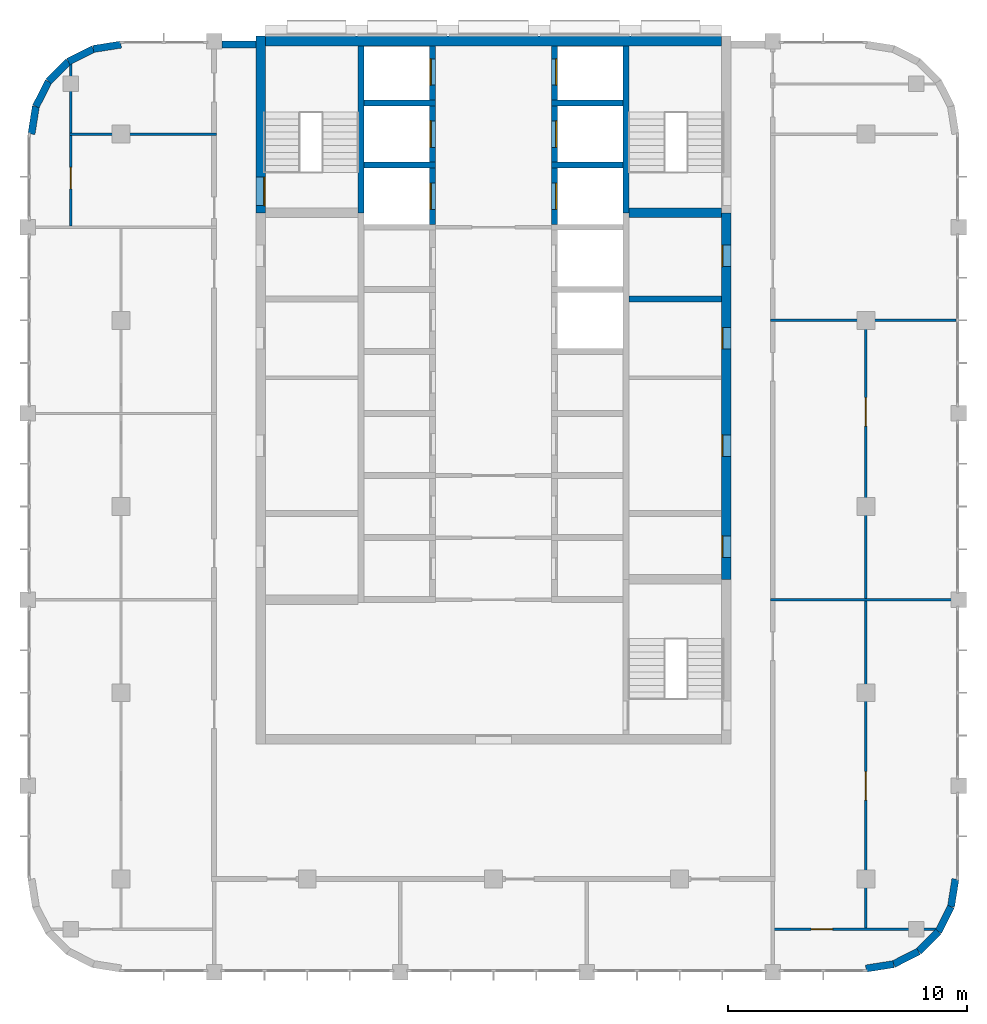
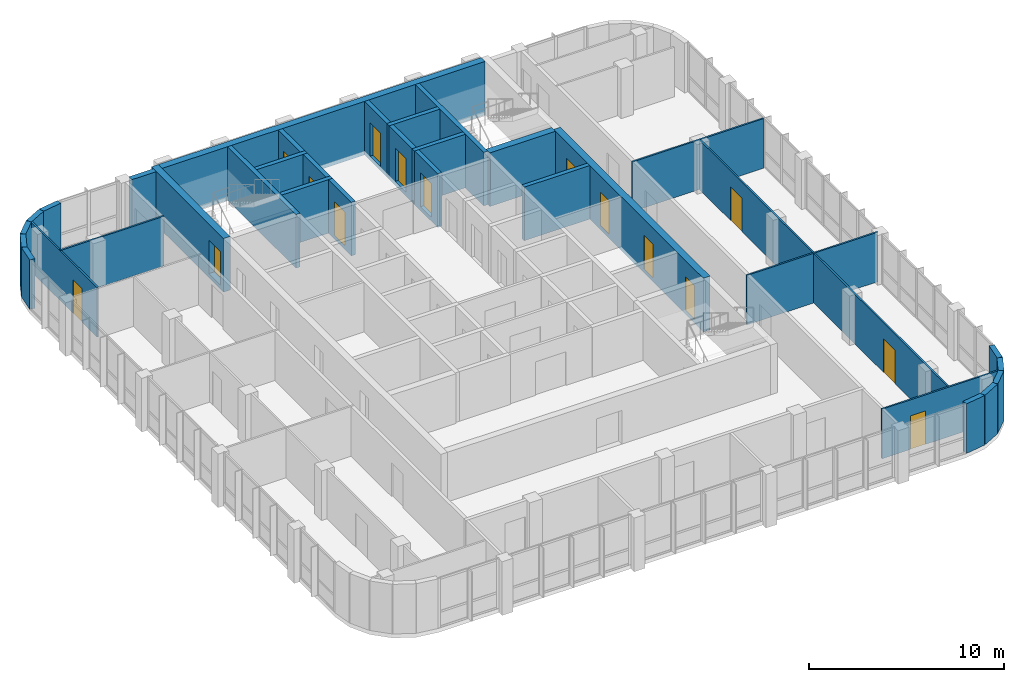
# One storey, part 11 of 17: 34 walls, 15 doors, 15 openings.
"""IFC4 building model written with IfcOpenShell, lengths in metres."""

from ifc_helpers import new_model, si_unit, direction, frame, frame_2d, origin, place, context, subcontext, project, spatial, rectangle, extrude, material, layer, layer_set, type_object, element, fill, save


model = new_model("IFC4")

# Units and contexts
model_context = context("Model", 3, precision=1e-05, world=origin(), true_north=direction((0.0, 1.0)))
body_context = subcontext(model_context, "Body", "Model", "MODEL_VIEW")
ifc_project = project(units=[si_unit("LENGTHUNIT", "METRE"), si_unit("AREAUNIT", "SQUARE_METRE"), si_unit("VOLUMEUNIT", "CUBIC_METRE"), si_unit("PLANEANGLEUNIT", "RADIAN"), si_unit("MASSUNIT", "GRAM", prefix="KILO")], contexts=[model_context])

# Site, building, storey
site_placement = place(None, origin())
site = spatial("IfcSite", under=ifc_project, at=site_placement, CompositionType="ELEMENT")
building_placement = place(site_placement, origin())
building = spatial("IfcBuilding", under=site, at=building_placement, Name="Ludao Terraces", CompositionType="ELEMENT")
storey_placement = place(building_placement, frame((0.0, 0.0, 263.0)))
storey = spatial("IfcBuildingStorey", under=building, at=storey_placement, Name="L72", CompositionType="ELEMENT", Elevation=263.0)

# Wall, opening, door
ifc_material_1 = material(Name="Concrete C50", Category="concrete")
ifc_layer_1 = layer(ifc_material_1, 0.39990234375)
ifc_layer_set_1 = layer_set([ifc_layer_1], Name="Core wall 400 C50")
wall_type_1 = type_object("IfcWallType", Name="Core wall 400 C50", PredefinedType="SOLIDWALL", material=ifc_layer_set_1)
wall_1_placement = place(storey_placement, frame((75.25, 77.300048828125, -0.25), z_axis=(0.0, 0.0, 1.0), x_axis=(0.0, 1.0, 0.0)))
wall_1 = element("IfcWall", 1, at=wall_1_placement, inside=storey, type_object=wall_type_1, Name="Core wall L72 outer-W-S1", PredefinedType="SOLIDWALL", context=body_context, shape_type="SweptSolid", body=[
    extrude(rectangle(XDim=7.39990234375, YDim=0.39990234375, at=frame_2d((3.699951171875, 0.0))), origin(), (0.0, 0.0, 1.0), 3.35009765625),
])
opening_1_placement = place(wall_1_placement, frame((0.300048828125, 0.0, 0.25)))
opening_1 = element("IfcOpeningElement", 2, at=opening_1_placement, cuts=wall_1, Name="Opening T1-047", PredefinedType="OPENING", context=body_context, shape_type="SweptSolid", body=[
    extrude(rectangle(XDim=1.199951171875, YDim=2.10009765625, at=frame_2d((0.60009765625, 1.050048828125))), frame((0.0, 0.2099609375, 0.0), z_axis=(0.0, -1.0, 0.0), x_axis=(1.0, 0.0, 0.0)), (0.0, 0.0, 1.0), 0.419921875),
])
ifc_material_2 = material(Name="Steel Q235", Category="steel")
door_type_1 = type_object("IfcDoorType", Name="INT Stair door 1200", OperationType="DOUBLE_DOOR_SINGLE_SWING", PredefinedType="DOOR", material=ifc_material_2)
door_1_placement = place(opening_1_placement, origin())
door_1 = element("IfcDoor", 3, at=door_1_placement, inside=storey, type_object=door_type_1, Name="DOOR 047", OperationType="DOUBLE_DOOR_SINGLE_SWING", OverallHeight=2.10009765625, OverallWidth=1.199951171875, PredefinedType="DOOR", context=body_context, shape_type="SweptSolid", body=[
    extrude(rectangle(XDim=1.199951171875, YDim=2.10009765625, at=frame_2d((0.60009765625, 1.050048828125))), frame((0.0, -0.134765625, 0.0), z_axis=(0.0, -1.0, 0.0), x_axis=(1.0, 0.0, 0.0)), (0.0, 0.0, 1.0), 0.050048828125),
])
fill(opening_1, door_1)

# Wall, openings, doors
wall_2_placement = place(storey_placement, frame((94.75, 61.949951171875, -0.25), z_axis=(0.0, 0.0, 1.0), x_axis=(0.0, 1.0, 0.0)))
wall_2 = element("IfcWall", 4, at=wall_2_placement, inside=storey, type_object=wall_type_1, Name="Core wall L72 outer-E", PredefinedType="SOLIDWALL", context=body_context, shape_type="SweptSolid", body=[
    extrude(rectangle(XDim=15.35009765625, YDim=0.39990234375, at=frame_2d((7.675048828125, 0.0))), origin(), (0.0, 0.0, 1.0), 3.35009765625),
])
opening_2_placement = place(wall_2_placement, frame((0.925048828125, 0.0, 0.25)))
opening_2 = element("IfcOpeningElement", 5, at=opening_2_placement, cuts=wall_2, Name="Opening T1-018", PredefinedType="OPENING", context=body_context, shape_type="SweptSolid", body=[
    extrude(rectangle(XDim=0.89990234375, YDim=2.10009765625, at=frame_2d((0.449951171875, 1.050048828125))), frame((0.0, 0.2099609375, 0.0), z_axis=(0.0, -1.0, 0.0), x_axis=(1.0, 0.0, 0.0)), (0.0, 0.0, 1.0), 0.419921875),
])
opening_3_placement = place(wall_2_placement, frame((5.14990234375, 0.0, 0.25)))
opening_3 = element("IfcOpeningElement", 6, at=opening_3_placement, cuts=wall_2, Name="Opening T1-024", PredefinedType="OPENING", context=body_context, shape_type="SweptSolid", body=[
    extrude(rectangle(XDim=0.89990234375, YDim=2.10009765625, at=frame_2d((0.449951171875, 1.050048828125))), frame((0.0, 0.2099609375, 0.0), z_axis=(0.0, -1.0, 0.0), x_axis=(1.0, 0.0, 0.0)), (0.0, 0.0, 1.0), 0.419921875),
])
opening_4_placement = place(wall_2_placement, frame((9.64990234375, 0.0, 0.25)))
opening_4 = element("IfcOpeningElement", 7, at=opening_4_placement, cuts=wall_2, Name="Opening T1-034", PredefinedType="OPENING", context=body_context, shape_type="SweptSolid", body=[
    extrude(rectangle(XDim=0.89990234375, YDim=2.10009765625, at=frame_2d((0.449951171875, 1.050048828125))), frame((0.0, 0.2099609375, 0.0), z_axis=(0.0, -1.0, 0.0), x_axis=(1.0, 0.0, 0.0)), (0.0, 0.0, 1.0), 0.419921875),
])
opening_5_placement = place(wall_2_placement, frame((13.10009765625, 0.0, 0.25)))
opening_5 = element("IfcOpeningElement", 8, at=opening_5_placement, cuts=wall_2, Name="Opening T1-042", PredefinedType="OPENING", context=body_context, shape_type="SweptSolid", body=[
    extrude(rectangle(XDim=0.89990234375, YDim=2.10009765625, at=frame_2d((0.449951171875, 1.050048828125))), frame((0.0, 0.2099609375, 0.0), z_axis=(0.0, -1.0, 0.0), x_axis=(1.0, 0.0, 0.0)), (0.0, 0.0, 1.0), 0.419921875),
])
door_type_2 = type_object("IfcDoorType", Name="INT Riser door 900", OperationType="SINGLE_SWING_LEFT", PredefinedType="DOOR", material=ifc_material_2)
door_2_placement = place(opening_2_placement, origin())
door_2 = element("IfcDoor", 9, at=door_2_placement, inside=storey, type_object=door_type_2, Name="DOOR 018", OperationType="SINGLE_SWING_LEFT", OverallHeight=2.10009765625, OverallWidth=0.89990234375, PredefinedType="DOOR", context=body_context, shape_type="SweptSolid", body=[
    extrude(rectangle(XDim=0.89990234375, YDim=2.10009765625, at=frame_2d((0.449951171875, 1.050048828125))), frame((0.0, 0.18505859375, 0.0), z_axis=(0.0, -1.0, 0.0), x_axis=(1.0, 0.0, 0.0)), (0.0, 0.0, 1.0), 0.050048828125),
])
fill(opening_2, door_2)
door_3_placement = place(opening_5_placement, origin())
door_3 = element("IfcDoor", 10, at=door_3_placement, inside=storey, type_object=door_type_2, Name="DOOR 042", OperationType="SINGLE_SWING_RIGHT", OverallHeight=2.10009765625, OverallWidth=0.89990234375, PredefinedType="DOOR", context=body_context, shape_type="SweptSolid", body=[
    extrude(rectangle(XDim=0.89990234375, YDim=2.10009765625, at=frame_2d((0.449951171875, 1.050048828125))), frame((0.0, 0.18505859375, 0.0), z_axis=(0.0, -1.0, 0.0), x_axis=(1.0, 0.0, 0.0)), (0.0, 0.0, 1.0), 0.050048828125),
])
fill(opening_5, door_3)
ifc_material_3 = material(Name="Timber door leaf", Category="wood")
door_type_3 = type_object("IfcDoorType", Name="INT Room door 900", OperationType="SINGLE_SWING_LEFT", PredefinedType="DOOR", material=ifc_material_3)
door_4_placement = place(opening_3_placement, origin())
door_4 = element("IfcDoor", 11, at=door_4_placement, inside=storey, type_object=door_type_3, Name="DOOR 024", OperationType="SINGLE_SWING_LEFT", OverallHeight=2.10009765625, OverallWidth=0.89990234375, PredefinedType="DOOR", context=body_context, shape_type="SweptSolid", body=[
    extrude(rectangle(XDim=0.89990234375, YDim=2.10009765625, at=frame_2d((0.449951171875, 1.050048828125))), frame((0.0, 0.18505859375, 0.0), z_axis=(0.0, -1.0, 0.0), x_axis=(1.0, 0.0, 0.0)), (0.0, 0.0, 1.0), 0.050048828125),
])
fill(opening_3, door_4)
door_5_placement = place(opening_4_placement, origin())
door_5 = element("IfcDoor", 12, at=door_5_placement, inside=storey, type_object=door_type_3, Name="DOOR 034", OperationType="SINGLE_SWING_RIGHT", OverallHeight=2.10009765625, OverallWidth=0.89990234375, PredefinedType="DOOR", context=body_context, shape_type="SweptSolid", body=[
    extrude(rectangle(XDim=0.89990234375, YDim=2.10009765625, at=frame_2d((0.449951171875, 1.050048828125))), frame((0.0, 0.18505859375, 0.0), z_axis=(0.0, -1.0, 0.0), x_axis=(1.0, 0.0, 0.0)), (0.0, 0.0, 1.0), 0.050048828125),
])
fill(opening_4, door_5)

# Walls
wall_3_placement = place(storey_placement, frame((75.449951171875, 84.5, -0.25), z_axis=(0.0, 0.0, 1.0), x_axis=(1.0, 0.0, 0.0)))
element("IfcWall", 13, at=wall_3_placement, inside=storey, type_object=wall_type_1, Name="Core wall L72 outer-N", PredefinedType="SOLIDWALL", context=body_context, shape_type="SweptSolid", body=[
    extrude(rectangle(XDim=19.10009765625, YDim=0.39990234375, at=frame_2d((9.550048828125, 0.0))), origin(), (0.0, 0.0, 1.0), 3.35009765625),
])
ifc_material_4 = material(Name="Granite cladding", Category="masonry")
ifc_layer_2 = layer(ifc_material_4, 0.0400390625, Category="stone")
ifc_material_5 = material(Name="Mineral wool")
ifc_layer_3 = layer(ifc_material_5, 0.06005859375)
ifc_material_6 = material(Name="Concrete C40", Category="concrete")
ifc_layer_4 = layer(ifc_material_6, 0.199951171875, Category="concrete")
ifc_layer_set_2 = layer_set([ifc_layer_2, ifc_layer_3, ifc_layer_4], Name="ENV Stone-clad wall 300")
wall_type_2 = type_object("IfcWallType", Name="ENV Stone-clad wall 300", PredefinedType="SOLIDWALL", material=ifc_layer_set_2)
wall_4_placement = place(storey_placement, frame((73.625, 84.35009765625, 0.0), z_axis=(0.0, 0.0, 1.0), x_axis=(1.0, 0.0, 0.0)))
element("IfcWall", 14, at=wall_4_placement, inside=storey, type_object=wall_type_2, Name="EW-L72-N2", PredefinedType="SOLIDWALL", context=body_context, shape_type="SweptSolid", body=[
    extrude(rectangle(XDim=1.425048828125, YDim=0.300048828125, at=frame_2d((0.71240234375, 0.0))), origin(), (0.0, 0.0, 1.0), 3.10009765625),
])
wall_5_placement = place(storey_placement, frame((100.60009765625, 45.64990234375, 0.0), z_axis=(0.0, 0.0, 1.0), x_axis=(0.987678452879, 0.156496880861, 0.0)))
element("IfcWall", 15, at=wall_5_placement, inside=storey, type_object=wall_type_2, Name="EW-L72-SE1", PredefinedType="SOLIDWALL", context=body_context, shape_type="SweptSolid", body=[
    extrude(rectangle(XDim=1.173095703125, YDim=0.300048828125, at=frame_2d((0.58642578125, 0.0))), origin(), (0.0, 0.0, 1.0), 3.10009765625),
])
wall_6_placement = place(storey_placement, frame((101.7587890625, 45.83349609375, 0.0), z_axis=(0.0, 0.0, 1.0), x_axis=(0.890988677504, 0.454025524128, 0.0)))
element("IfcWall", 16, at=wall_6_placement, inside=storey, type_object=wall_type_2, Name="EW-L72-SE2", PredefinedType="SOLIDWALL", context=body_context, shape_type="SweptSolid", body=[
    extrude(rectangle(XDim=1.17333984375, YDim=0.300048828125, at=frame_2d((0.586669921875, 0.0))), origin(), (0.0, 0.0, 1.0), 3.10009765625),
])
wall_7_placement = place(storey_placement, frame((102.80419921875, 46.3662109375, 0.0), z_axis=(0.0, 0.0, 1.0), x_axis=(0.707106781187, 0.707106781187, 0.0)))
element("IfcWall", 17, at=wall_7_placement, inside=storey, type_object=wall_type_2, Name="EW-L72-SE3", PredefinedType="SOLIDWALL", context=body_context, shape_type="SweptSolid", body=[
    extrude(rectangle(XDim=1.173095703125, YDim=0.300048828125, at=frame_2d((0.58642578125, 0.0))), origin(), (0.0, 0.0, 1.0), 3.10009765625),
])
wall_8_placement = place(storey_placement, frame((103.6337890625, 47.19580078125, 0.0), z_axis=(0.0, 0.0, 1.0), x_axis=(0.454025524128, 0.890988677504, 0.0)))
element("IfcWall", 18, at=wall_8_placement, inside=storey, type_object=wall_type_2, Name="EW-L72-SE4", PredefinedType="SOLIDWALL", context=body_context, shape_type="SweptSolid", body=[
    extrude(rectangle(XDim=1.17333984375, YDim=0.300048828125, at=frame_2d((0.586669921875, 0.0))), origin(), (0.0, 0.0, 1.0), 3.10009765625),
])
for number, where, z_axis, x_axis, name in (
    (19, (104.16650390625, 48.2412109375, 0.0), (0.0, 0.0, 1.0), (0.156496880861, 0.987678452879, 0.0), "EW-L72-SE5"),
    (20, (69.39990234375, 84.35009765625, 0.0), (0.0, 0.0, 1.0), (-0.987678452879, -0.156496880861, 0.0), "EW-L72-NW1"),
):
    element("IfcWall", number, at=place(storey_placement, frame(where, z_axis=z_axis, x_axis=x_axis)), inside=storey, type_object=wall_type_2, Name=name, PredefinedType="SOLIDWALL", context=body_context, shape_type="SweptSolid", body=[
        extrude(rectangle(XDim=1.173095703125, YDim=0.300048828125, at=frame_2d((0.58642578125, 0.0))), origin(), (0.0, 0.0, 1.0), 3.10009765625),
    ])
wall_9_placement = place(storey_placement, frame((68.2412109375, 84.16650390625, 0.0), z_axis=(0.0, 0.0, 1.0), x_axis=(-0.890988677504, -0.454025524128, 0.0)))
element("IfcWall", 21, at=wall_9_placement, inside=storey, type_object=wall_type_2, Name="EW-L72-NW2", PredefinedType="SOLIDWALL", context=body_context, shape_type="SweptSolid", body=[
    extrude(rectangle(XDim=1.17333984375, YDim=0.300048828125, at=frame_2d((0.586669921875, 0.0))), origin(), (0.0, 0.0, 1.0), 3.10009765625),
])
wall_10_placement = place(storey_placement, frame((67.19580078125, 83.6337890625, 0.0), z_axis=(0.0, 0.0, 1.0), x_axis=(-0.707106781187, -0.707106781187, 0.0)))
element("IfcWall", 22, at=wall_10_placement, inside=storey, type_object=wall_type_2, Name="EW-L72-NW3", PredefinedType="SOLIDWALL", context=body_context, shape_type="SweptSolid", body=[
    extrude(rectangle(XDim=1.173095703125, YDim=0.300048828125, at=frame_2d((0.58642578125, 0.0))), origin(), (0.0, 0.0, 1.0), 3.10009765625),
])
wall_11_placement = place(storey_placement, frame((66.3662109375, 82.80419921875, 0.0), z_axis=(0.0, 0.0, 1.0), x_axis=(-0.454025524128, -0.890988677504, 0.0)))
element("IfcWall", 23, at=wall_11_placement, inside=storey, type_object=wall_type_2, Name="EW-L72-NW4", PredefinedType="SOLIDWALL", context=body_context, shape_type="SweptSolid", body=[
    extrude(rectangle(XDim=1.17333984375, YDim=0.300048828125, at=frame_2d((0.586669921875, 0.0))), origin(), (0.0, 0.0, 1.0), 3.10009765625),
])
wall_12_placement = place(storey_placement, frame((65.83349609375, 81.7587890625, 0.0), z_axis=(0.0, 0.0, 1.0), x_axis=(-0.156496880861, -0.987678452879, 0.0)))
element("IfcWall", 24, at=wall_12_placement, inside=storey, type_object=wall_type_2, Name="EW-L72-NW5", PredefinedType="SOLIDWALL", context=body_context, shape_type="SweptSolid", body=[
    extrude(rectangle(XDim=1.173095703125, YDim=0.300048828125, at=frame_2d((0.58642578125, 0.0))), origin(), (0.0, 0.0, 1.0), 3.10009765625),
])

# Wall, opening, door
ifc_material_7 = material(Name="Gypsum plasterboard", Category="gypsum")
ifc_layer_5 = layer(ifc_material_7, 0.012451171875, Category="gypsum")
ifc_layer_6 = layer(ifc_material_5, 0.06005859375, Name="insulation")
ifc_layer_7 = layer(ifc_material_2, 0.014892578125, Name="stud")
ifc_layer_8 = layer(ifc_material_7, 0.012451171875, Category="gypsum")
ifc_layer_set_3 = layer_set([ifc_layer_5, ifc_layer_6, ifc_layer_7, ifc_layer_8], Name="INT Partition 100")
wall_type_3 = type_object("IfcWallType", Name="INT Partition 100", PredefinedType="PARTITIONING", material=ifc_layer_set_3)
wall_13_placement = place(storey_placement, frame((96.625, 47.300048828125, 0.0), z_axis=(0.0, 0.0, 1.0), x_axis=(1.0, 0.0, 0.0)))
wall_13 = element("IfcWall", 25, at=wall_13_placement, inside=storey, type_object=wall_type_3, Name="PW-L72-PW001", PredefinedType="PARTITIONING", context=body_context, shape_type="SweptSolid", body=[
    extrude(rectangle(XDim=6.965087890625, YDim=0.10009765625, at=frame_2d((3.482421875, 0.0))), origin(), (0.0, 0.0, 1.0), 3.10009765625),
])
opening_6_placement = place(wall_13_placement, frame((1.677734375, 0.0, 0.0)))
opening_6 = element("IfcOpeningElement", 26, at=opening_6_placement, cuts=wall_13, Name="Opening T1-002", PredefinedType="OPENING", context=body_context, shape_type="SweptSolid", body=[
    extrude(rectangle(XDim=0.89990234375, YDim=2.10009765625, at=frame_2d((0.449951171875, 1.050048828125))), frame((0.0, 0.06005859375, 0.0), z_axis=(0.0, -1.0, 0.0), x_axis=(1.0, 0.0, 0.0)), (0.0, 0.0, 1.0), 0.1201171875),
])
door_6_placement = place(opening_6_placement, origin())
door_6 = element("IfcDoor", 27, at=door_6_placement, inside=storey, type_object=door_type_3, Name="DOOR 002", OperationType="SINGLE_SWING_RIGHT", OverallHeight=2.10009765625, OverallWidth=0.89990234375, PredefinedType="DOOR", context=body_context, shape_type="SweptSolid", body=[
    extrude(rectangle(XDim=0.89990234375, YDim=2.10009765625, at=frame_2d((0.449951171875, 1.050048828125))), frame((0.0, 0.02490234375, 0.0), z_axis=(0.0, -1.0, 0.0), x_axis=(1.0, 0.0, 0.0)), (0.0, 0.0, 1.0), 0.050048828125),
])
fill(opening_6, door_6)

# Walls
for number, where, z_axis, x_axis, name in (
    (28, (96.60009765625, 61.10009765625, 0.0), (0.0, 0.0, 1.0), (1.0, 0.0, 0.0), "PW-L72-PW005"),
    (29, (96.60009765625, 72.800048828125, 0.0), (0.0, 0.0, 1.0), (1.0, 0.0, 0.0), "PW-L72-PW011"),
):
    element("IfcWall", number, at=place(storey_placement, frame(where, z_axis=z_axis, x_axis=x_axis)), inside=storey, type_object=wall_type_3, Name=name, PredefinedType="PARTITIONING", context=body_context, shape_type="SweptSolid", body=[
        extrude(rectangle(XDim=7.764892578125, YDim=0.10009765625, at=frame_2d((3.88232421875, 0.0))), origin(), (0.0, 0.0, 1.0), 3.10009765625),
    ])
wall_14_placement = place(storey_placement, frame((67.25, 80.60009765625, 0.0), z_axis=(0.0, 0.0, 1.0), x_axis=(1.0, 0.0, 0.0)))
element("IfcWall", 30, at=wall_14_placement, inside=storey, type_object=wall_type_3, Name="PW-L72-PW014", PredefinedType="PARTITIONING", context=body_context, shape_type="SweptSolid", body=[
    extrude(rectangle(XDim=6.150146484375, YDim=0.10009765625, at=frame_2d((3.0751953125, 0.0))), origin(), (0.0, 0.0, 1.0), 3.10009765625),
])

# Wall, opening, door
wall_15_placement = place(storey_placement, frame((67.300048828125, 76.75, 0.0), z_axis=(0.0, 0.0, 1.0), x_axis=(0.0, 1.0, 0.0)))
wall_15 = element("IfcWall", 31, at=wall_15_placement, inside=storey, type_object=wall_type_3, Name="PW-L72-PW017", PredefinedType="PARTITIONING", context=body_context, shape_type="SweptSolid", body=[
    extrude(rectangle(XDim=6.840087890625, YDim=0.10009765625, at=frame_2d((3.419921875, 0.0))), origin(), (0.0, 0.0, 1.0), 3.10009765625),
])
opening_7_placement = place(wall_15_placement, frame((1.552734375, 0.0, 0.0)))
opening_7 = element("IfcOpeningElement", 32, at=opening_7_placement, cuts=wall_15, Name="Opening T1-049", PredefinedType="OPENING", context=body_context, shape_type="SweptSolid", body=[
    extrude(rectangle(XDim=0.89990234375, YDim=2.10009765625, at=frame_2d((0.449951171875, 1.050048828125))), frame((0.0, 0.06005859375, 0.0), z_axis=(0.0, -1.0, 0.0), x_axis=(1.0, 0.0, 0.0)), (0.0, 0.0, 1.0), 0.1201171875),
])
door_7_placement = place(opening_7_placement, origin())
door_7 = element("IfcDoor", 33, at=door_7_placement, inside=storey, type_object=door_type_3, Name="DOOR 049", OperationType="SINGLE_SWING_LEFT", OverallHeight=2.10009765625, OverallWidth=0.89990234375, PredefinedType="DOOR", context=body_context, shape_type="SweptSolid", body=[
    extrude(rectangle(XDim=0.89990234375, YDim=2.10009765625, at=frame_2d((0.449951171875, 1.050048828125))), frame((0.0, 0.02490234375, 0.0), z_axis=(0.0, -1.0, 0.0), x_axis=(1.0, 0.0, 0.0)), (0.0, 0.0, 1.0), 0.050048828125),
])
fill(opening_7, door_7)

# Wall, openings, doors
wall_16_placement = place(storey_placement, frame((100.60009765625, 47.35009765625, 0.0), z_axis=(0.0, 0.0, 1.0), x_axis=(0.0, 1.0, 0.0)))
wall_16 = element("IfcWall", 34, at=wall_16_placement, inside=storey, type_object=wall_type_3, Name="PW-L72-PW025", PredefinedType="PARTITIONING", context=body_context, shape_type="SweptSolid", body=[
    extrude(rectangle(XDim=25.39990234375, YDim=0.10009765625, at=frame_2d((12.699951171875, 0.0))), origin(), (0.0, 0.0, 1.0), 3.10009765625),
])
opening_8_placement = place(wall_16_placement, frame((5.35009765625, 0.0, 0.0)))
opening_8 = element("IfcOpeningElement", 35, at=opening_8_placement, cuts=wall_16, Name="Opening T1-007", PredefinedType="OPENING", context=body_context, shape_type="SweptSolid", body=[
    extrude(rectangle(XDim=1.199951171875, YDim=2.10009765625, at=frame_2d((0.60009765625, 1.050048828125))), frame((0.0, 0.06005859375, 0.0), z_axis=(0.0, -1.0, 0.0), x_axis=(1.0, 0.0, 0.0)), (0.0, 0.0, 1.0), 0.1201171875),
])
opening_9_placement = place(wall_16_placement, frame((21.01708984375, 0.0, 0.0)))
opening_9 = element("IfcOpeningElement", 36, at=opening_9_placement, cuts=wall_16, Name="Opening T1-028", PredefinedType="OPENING", context=body_context, shape_type="SweptSolid", body=[
    extrude(rectangle(XDim=1.199951171875, YDim=2.10009765625, at=frame_2d((0.60009765625, 1.050048828125))), frame((0.0, 0.06005859375, 0.0), z_axis=(0.0, -1.0, 0.0), x_axis=(1.0, 0.0, 0.0)), (0.0, 0.0, 1.0), 0.1201171875),
])
door_type_4 = type_object("IfcDoorType", Name="INT Double door 1200", OperationType="DOUBLE_DOOR_SINGLE_SWING", PredefinedType="DOOR", material=ifc_material_3)
door_8_placement = place(opening_8_placement, origin())
door_8 = element("IfcDoor", 37, at=door_8_placement, inside=storey, type_object=door_type_4, Name="DOOR 007", OperationType="DOUBLE_DOOR_SINGLE_SWING", OverallHeight=2.10009765625, OverallWidth=1.199951171875, PredefinedType="DOOR", context=body_context, shape_type="SweptSolid", body=[
    extrude(rectangle(XDim=1.199951171875, YDim=2.10009765625, at=frame_2d((0.60009765625, 1.050048828125))), frame((0.0, 0.02490234375, 0.0), z_axis=(0.0, -1.0, 0.0), x_axis=(1.0, 0.0, 0.0)), (0.0, 0.0, 1.0), 0.050048828125),
])
fill(opening_8, door_8)
door_9_placement = place(opening_9_placement, origin())
door_9 = element("IfcDoor", 38, at=door_9_placement, inside=storey, type_object=door_type_4, Name="DOOR 028", OperationType="DOUBLE_DOOR_SINGLE_SWING", OverallHeight=2.10009765625, OverallWidth=1.199951171875, PredefinedType="DOOR", context=body_context, shape_type="SweptSolid", body=[
    extrude(rectangle(XDim=1.199951171875, YDim=2.10009765625, at=frame_2d((0.60009765625, 1.050048828125))), frame((0.0, 0.02490234375, 0.0), z_axis=(0.0, -1.0, 0.0), x_axis=(1.0, 0.0, 0.0)), (0.0, 0.0, 1.0), 0.050048828125),
])
fill(opening_9, door_9)

# Walls
ifc_layer_9 = layer(ifc_material_1, 0.25)
ifc_layer_set_4 = layer_set([ifc_layer_9], Name="Shaft wall 250 C50")
wall_type_4 = type_object("IfcWallType", Name="Shaft wall 250 C50", PredefinedType="SOLIDWALL", material=ifc_layer_set_4)
for number, where, z_axis, x_axis, name in (
    (39, (79.449951171875, 77.300048828125, -0.25), (0.0, 0.0, 1.0), (0.0, 1.0, 0.0), "Core wall L72 back-W-S1"),
    (40, (90.550048828125, 77.300048828125, -0.25), (0.0, 0.0, 1.0), (0.0, 1.0, 0.0), "Core wall L72 back-E-S2"),
):
    element("IfcWall", number, at=place(storey_placement, frame(where, z_axis=z_axis, x_axis=x_axis)), inside=storey, type_object=wall_type_4, Name=name, PredefinedType="SOLIDWALL", context=body_context, shape_type="SweptSolid", body=[
        extrude(rectangle(XDim=7.0, YDim=0.25, at=frame_2d((3.5, 0.0))), origin(), (0.0, 0.0, 1.0), 3.35009765625),
    ])

# Wall, opening, door
wall_17_placement = place(storey_placement, frame((82.449951171875, 76.824951171875, -0.25), z_axis=(0.0, 0.0, 1.0), x_axis=(0.0, 1.0, 0.0)))
wall_17 = element("IfcWall", 41, at=wall_17_placement, inside=storey, type_object=wall_type_4, Name="Core wall L72 front-W7", PredefinedType="SOLIDWALL", context=body_context, shape_type="SweptSolid", body=[
    extrude(rectangle(XDim=2.35009765625, YDim=0.25, at=frame_2d((1.175048828125, 0.0))), origin(), (0.0, 0.0, 1.0), 3.35009765625),
])
opening_10_placement = place(wall_17_placement, frame((0.625, 0.0, 0.25)))
opening_10 = element("IfcOpeningElement", 42, at=opening_10_placement, cuts=wall_17, Name="Opening LD-FF1", PredefinedType="OPENING", context=body_context, shape_type="SweptSolid", body=[
    extrude(rectangle(XDim=1.10009765625, YDim=2.10009765625, at=frame_2d((0.550048828125, 1.050048828125))), frame((0.0, 0.135009765625, 0.0), z_axis=(0.0, -1.0, 0.0), x_axis=(1.0, 0.0, 0.0)), (0.0, 0.0, 1.0), 0.27001953125),
])
ifc_material_8 = material(Name="Stainless steel 304", Category="steel")
door_type_5 = type_object("IfcDoorType", Name="INT Lift landing door 1100", OperationType="SLIDING_TO_LEFT", PredefinedType="DOOR", material=ifc_material_8)
door_10_placement = place(opening_10_placement, origin())
door_10 = element("IfcDoor", 43, at=door_10_placement, inside=storey, type_object=door_type_5, Name="LANDING DOOR FF1 L72", OperationType="SLIDING_TO_LEFT", OverallHeight=2.10009765625, OverallWidth=1.10009765625, PredefinedType="DOOR", context=body_context, shape_type="SweptSolid", body=[
    extrude(rectangle(XDim=1.10009765625, YDim=2.10009765625, at=frame_2d((0.550048828125, 1.050048828125))), frame((0.0, 0.10986328125, 0.0), z_axis=(0.0, -1.0, 0.0), x_axis=(1.0, 0.0, 0.0)), (0.0, 0.0, 1.0), 0.050048828125),
])
fill(opening_10, door_10)

# Wall
wall_18_placement = place(storey_placement, frame((79.574951171875, 79.300048828125, -0.25), z_axis=(0.0, 0.0, 1.0), x_axis=(1.0, 0.0, 0.0)))
element("IfcWall", 44, at=wall_18_placement, inside=storey, type_object=wall_type_4, Name="Core wall L72 div-W8", PredefinedType="SOLIDWALL", context=body_context, shape_type="SweptSolid", body=[
    extrude(rectangle(XDim=3.0, YDim=0.25, at=frame_2d((1.5, 0.0))), origin(), (0.0, 0.0, 1.0), 3.35009765625),
])

# Wall, opening, door
wall_19_placement = place(storey_placement, frame((82.449951171875, 79.425048828125, -0.25), z_axis=(0.0, 0.0, 1.0), x_axis=(0.0, 1.0, 0.0)))
wall_19 = element("IfcWall", 45, at=wall_19_placement, inside=storey, type_object=wall_type_4, Name="Core wall L72 front-W8", PredefinedType="SOLIDWALL", context=body_context, shape_type="SweptSolid", body=[
    extrude(rectangle(XDim=2.349853515625, YDim=0.25, at=frame_2d((1.1748046875, 0.0))), origin(), (0.0, 0.0, 1.0), 3.35009765625),
])
opening_11_placement = place(wall_19_placement, frame((0.625, 0.0, 0.25)))
opening_11 = element("IfcOpeningElement", 46, at=opening_11_placement, cuts=wall_19, Name="Opening LD-FF2", PredefinedType="OPENING", context=body_context, shape_type="SweptSolid", body=[
    extrude(rectangle(XDim=1.10009765625, YDim=2.10009765625, at=frame_2d((0.550048828125, 1.050048828125))), frame((0.0, 0.135009765625, 0.0), z_axis=(0.0, -1.0, 0.0), x_axis=(1.0, 0.0, 0.0)), (0.0, 0.0, 1.0), 0.27001953125),
])
door_11_placement = place(opening_11_placement, origin())
door_11 = element("IfcDoor", 47, at=door_11_placement, inside=storey, type_object=door_type_5, Name="LANDING DOOR FF2 L72", OperationType="SLIDING_TO_LEFT", OverallHeight=2.10009765625, OverallWidth=1.10009765625, PredefinedType="DOOR", context=body_context, shape_type="SweptSolid", body=[
    extrude(rectangle(XDim=1.10009765625, YDim=2.10009765625, at=frame_2d((0.550048828125, 1.050048828125))), frame((0.0, 0.10986328125, 0.0), z_axis=(0.0, -1.0, 0.0), x_axis=(1.0, 0.0, 0.0)), (0.0, 0.0, 1.0), 0.050048828125),
])
fill(opening_11, door_11)

# Wall
wall_20_placement = place(storey_placement, frame((79.574951171875, 81.89990234375, -0.25), z_axis=(0.0, 0.0, 1.0), x_axis=(1.0, 0.0, 0.0)))
element("IfcWall", 48, at=wall_20_placement, inside=storey, type_object=wall_type_4, Name="Core wall L72 div-W9", PredefinedType="SOLIDWALL", context=body_context, shape_type="SweptSolid", body=[
    extrude(rectangle(XDim=3.0, YDim=0.25, at=frame_2d((1.5, 0.0))), origin(), (0.0, 0.0, 1.0), 3.35009765625),
])

# Wall, opening, door
wall_21_placement = place(storey_placement, frame((82.449951171875, 82.02490234375, -0.25), z_axis=(0.0, 0.0, 1.0), x_axis=(0.0, 1.0, 0.0)))
wall_21 = element("IfcWall", 49, at=wall_21_placement, inside=storey, type_object=wall_type_4, Name="Core wall L72 front-W9", PredefinedType="SOLIDWALL", context=body_context, shape_type="SweptSolid", body=[
    extrude(rectangle(XDim=2.275146484375, YDim=0.25, at=frame_2d((1.1376953125, 0.0))), origin(), (0.0, 0.0, 1.0), 3.35009765625),
])
opening_12_placement = place(wall_21_placement, frame((0.625, 0.0, 0.25)))
opening_12 = element("IfcOpeningElement", 50, at=opening_12_placement, cuts=wall_21, Name="Opening LD-LB6", PredefinedType="OPENING", context=body_context, shape_type="SweptSolid", body=[
    extrude(rectangle(XDim=1.10009765625, YDim=2.10009765625, at=frame_2d((0.550048828125, 1.050048828125))), frame((0.0, 0.135009765625, 0.0), z_axis=(0.0, -1.0, 0.0), x_axis=(1.0, 0.0, 0.0)), (0.0, 0.0, 1.0), 0.27001953125),
])
door_12_placement = place(opening_12_placement, origin())
door_12 = element("IfcDoor", 51, at=door_12_placement, inside=storey, type_object=door_type_5, Name="LANDING DOOR LB6 L72", OperationType="SLIDING_TO_RIGHT", OverallHeight=2.10009765625, OverallWidth=1.10009765625, PredefinedType="DOOR", context=body_context, shape_type="SweptSolid", body=[
    extrude(rectangle(XDim=1.10009765625, YDim=2.10009765625, at=frame_2d((0.550048828125, 1.050048828125))), frame((0.0, 0.10986328125, 0.0), z_axis=(0.0, -1.0, 0.0), x_axis=(1.0, 0.0, 0.0)), (0.0, 0.0, 1.0), 0.050048828125),
])
fill(opening_12, door_12)

wall_22_placement = place(storey_placement, frame((87.550048828125, 76.824951171875, -0.25), z_axis=(0.0, 0.0, 1.0), x_axis=(0.0, 1.0, 0.0)))
wall_22 = element("IfcWall", 52, at=wall_22_placement, inside=storey, type_object=wall_type_4, Name="Core wall L72 front-E7", PredefinedType="SOLIDWALL", context=body_context, shape_type="SweptSolid", body=[
    extrude(rectangle(XDim=2.35009765625, YDim=0.25, at=frame_2d((1.175048828125, 0.0))), origin(), (0.0, 0.0, 1.0), 3.35009765625),
])
opening_13_placement = place(wall_22_placement, frame((0.625, 0.0, 0.25)))
opening_13 = element("IfcOpeningElement", 53, at=opening_13_placement, cuts=wall_22, Name="Opening LD-LB3", PredefinedType="OPENING", context=body_context, shape_type="SweptSolid", body=[
    extrude(rectangle(XDim=1.10009765625, YDim=2.10009765625, at=frame_2d((0.550048828125, 1.050048828125))), frame((0.0, 0.135009765625, 0.0), z_axis=(0.0, -1.0, 0.0), x_axis=(1.0, 0.0, 0.0)), (0.0, 0.0, 1.0), 0.27001953125),
])
door_13_placement = place(opening_13_placement, origin())
door_13 = element("IfcDoor", 54, at=door_13_placement, inside=storey, type_object=door_type_5, Name="LANDING DOOR LB3 L72", OperationType="SLIDING_TO_LEFT", OverallHeight=2.10009765625, OverallWidth=1.10009765625, PredefinedType="DOOR", context=body_context, shape_type="SweptSolid", body=[
    extrude(rectangle(XDim=1.10009765625, YDim=2.10009765625, at=frame_2d((0.550048828125, 1.050048828125))), frame((0.0, -0.06005859375, 0.0), z_axis=(0.0, -1.0, 0.0), x_axis=(1.0, 0.0, 0.0)), (0.0, 0.0, 1.0), 0.050048828125),
])
fill(opening_13, door_13)

# Wall
wall_23_placement = place(storey_placement, frame((87.425048828125, 79.300048828125, -0.25), z_axis=(0.0, 0.0, 1.0), x_axis=(1.0, 0.0, 0.0)))
element("IfcWall", 55, at=wall_23_placement, inside=storey, type_object=wall_type_4, Name="Core wall L72 div-E8", PredefinedType="SOLIDWALL", context=body_context, shape_type="SweptSolid", body=[
    extrude(rectangle(XDim=3.0, YDim=0.25, at=frame_2d((1.5, 0.0))), origin(), (0.0, 0.0, 1.0), 3.35009765625),
])

# Wall, opening, door
wall_24_placement = place(storey_placement, frame((87.550048828125, 79.425048828125, -0.25), z_axis=(0.0, 0.0, 1.0), x_axis=(0.0, 1.0, 0.0)))
wall_24 = element("IfcWall", 56, at=wall_24_placement, inside=storey, type_object=wall_type_4, Name="Core wall L72 front-E8", PredefinedType="SOLIDWALL", context=body_context, shape_type="SweptSolid", body=[
    extrude(rectangle(XDim=2.349853515625, YDim=0.25, at=frame_2d((1.1748046875, 0.0))), origin(), (0.0, 0.0, 1.0), 3.35009765625),
])
opening_14_placement = place(wall_24_placement, frame((0.625, 0.0, 0.25)))
opening_14 = element("IfcOpeningElement", 57, at=opening_14_placement, cuts=wall_24, Name="Opening LD-LB4", PredefinedType="OPENING", context=body_context, shape_type="SweptSolid", body=[
    extrude(rectangle(XDim=1.10009765625, YDim=2.10009765625, at=frame_2d((0.550048828125, 1.050048828125))), frame((0.0, 0.135009765625, 0.0), z_axis=(0.0, -1.0, 0.0), x_axis=(1.0, 0.0, 0.0)), (0.0, 0.0, 1.0), 0.27001953125),
])
door_14_placement = place(opening_14_placement, origin())
door_14 = element("IfcDoor", 58, at=door_14_placement, inside=storey, type_object=door_type_5, Name="LANDING DOOR LB4 L72", OperationType="SLIDING_TO_RIGHT", OverallHeight=2.10009765625, OverallWidth=1.10009765625, PredefinedType="DOOR", context=body_context, shape_type="SweptSolid", body=[
    extrude(rectangle(XDim=1.10009765625, YDim=2.10009765625, at=frame_2d((0.550048828125, 1.050048828125))), frame((0.0, -0.06005859375, 0.0), z_axis=(0.0, -1.0, 0.0), x_axis=(1.0, 0.0, 0.0)), (0.0, 0.0, 1.0), 0.050048828125),
])
fill(opening_14, door_14)

# Wall
wall_25_placement = place(storey_placement, frame((87.425048828125, 81.89990234375, -0.25), z_axis=(0.0, 0.0, 1.0), x_axis=(1.0, 0.0, 0.0)))
element("IfcWall", 59, at=wall_25_placement, inside=storey, type_object=wall_type_4, Name="Core wall L72 div-E9", PredefinedType="SOLIDWALL", context=body_context, shape_type="SweptSolid", body=[
    extrude(rectangle(XDim=3.0, YDim=0.25, at=frame_2d((1.5, 0.0))), origin(), (0.0, 0.0, 1.0), 3.35009765625),
])

# Wall, opening, door
wall_26_placement = place(storey_placement, frame((87.550048828125, 82.02490234375, -0.25), z_axis=(0.0, 0.0, 1.0), x_axis=(0.0, 1.0, 0.0)))
wall_26 = element("IfcWall", 60, at=wall_26_placement, inside=storey, type_object=wall_type_4, Name="Core wall L72 front-E9", PredefinedType="SOLIDWALL", context=body_context, shape_type="SweptSolid", body=[
    extrude(rectangle(XDim=2.275146484375, YDim=0.25, at=frame_2d((1.1376953125, 0.0))), origin(), (0.0, 0.0, 1.0), 3.35009765625),
])
opening_15_placement = place(wall_26_placement, frame((0.625, 0.0, 0.25)))
opening_15 = element("IfcOpeningElement", 61, at=opening_15_placement, cuts=wall_26, Name="Opening LD-LB5", PredefinedType="OPENING", context=body_context, shape_type="SweptSolid", body=[
    extrude(rectangle(XDim=1.10009765625, YDim=2.10009765625, at=frame_2d((0.550048828125, 1.050048828125))), frame((0.0, 0.135009765625, 0.0), z_axis=(0.0, -1.0, 0.0), x_axis=(1.0, 0.0, 0.0)), (0.0, 0.0, 1.0), 0.27001953125),
])
door_15_placement = place(opening_15_placement, origin())
door_15 = element("IfcDoor", 62, at=door_15_placement, inside=storey, type_object=door_type_5, Name="LANDING DOOR LB5 L72", OperationType="SLIDING_TO_RIGHT", OverallHeight=2.10009765625, OverallWidth=1.10009765625, PredefinedType="DOOR", context=body_context, shape_type="SweptSolid", body=[
    extrude(rectangle(XDim=1.10009765625, YDim=2.10009765625, at=frame_2d((0.550048828125, 1.050048828125))), frame((0.0, -0.06005859375, 0.0), z_axis=(0.0, -1.0, 0.0), x_axis=(1.0, 0.0, 0.0)), (0.0, 0.0, 1.0), 0.050048828125),
])
fill(opening_15, door_15)

# Walls
wall_27_placement = place(storey_placement, frame((90.675048828125, 73.699951171875, -0.25), z_axis=(0.0, 0.0, 1.0), x_axis=(1.0, 0.0, 0.0)))
element("IfcWall", 63, at=wall_27_placement, inside=storey, type_object=wall_type_4, Name="Core wall L72 riser-b-E", PredefinedType="SOLIDWALL", context=body_context, shape_type="SweptSolid", body=[
    extrude(rectangle(XDim=3.875, YDim=0.25, at=frame_2d((1.9375, 0.0))), origin(), (0.0, 0.0, 1.0), 3.35009765625),
])
ifc_layer_10 = layer(ifc_material_1, 0.39990234375)
ifc_layer_set_5 = layer_set([ifc_layer_10], Name="Shaft wall 400 C50")
wall_type_5 = type_object("IfcWallType", Name="Shaft wall 400 C50", PredefinedType="SOLIDWALL", material=ifc_layer_set_5)
wall_28_placement = place(storey_placement, frame((90.675048828125, 77.300048828125, -0.25), z_axis=(0.0, 0.0, 1.0), x_axis=(1.0, 0.0, 0.0)))
element("IfcWall", 64, at=wall_28_placement, inside=storey, type_object=wall_type_5, Name="Core wall L72 stair-E", PredefinedType="SOLIDWALL", context=body_context, shape_type="SweptSolid", body=[
    extrude(rectangle(XDim=3.875, YDim=0.39990234375, at=frame_2d((1.9375, 0.0))), origin(), (0.0, 0.0, 1.0), 3.35009765625),
])

save(model, "model.ifc")
